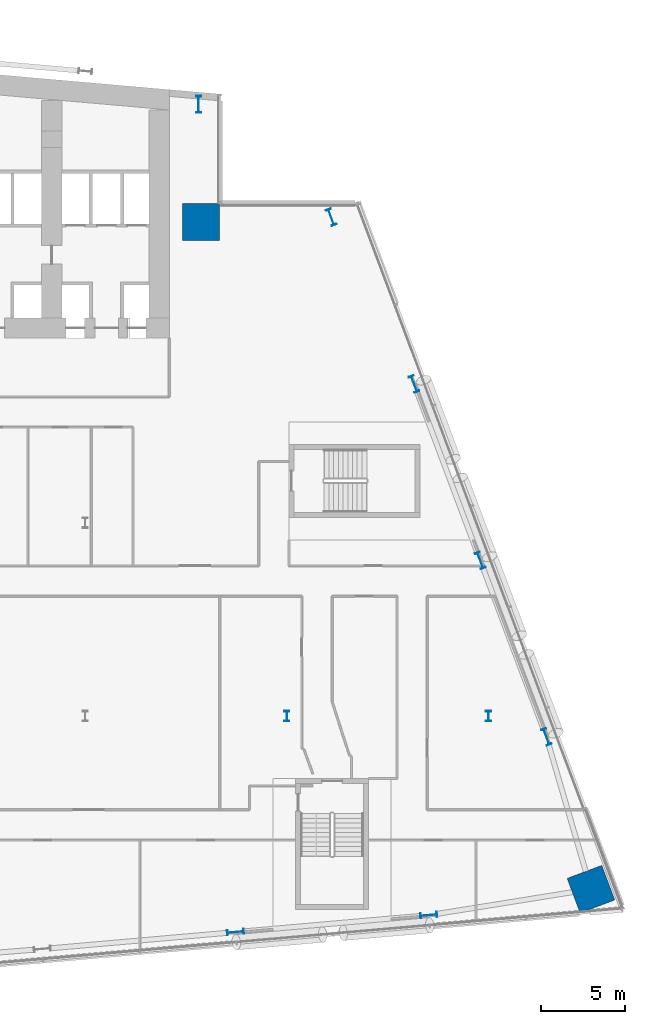
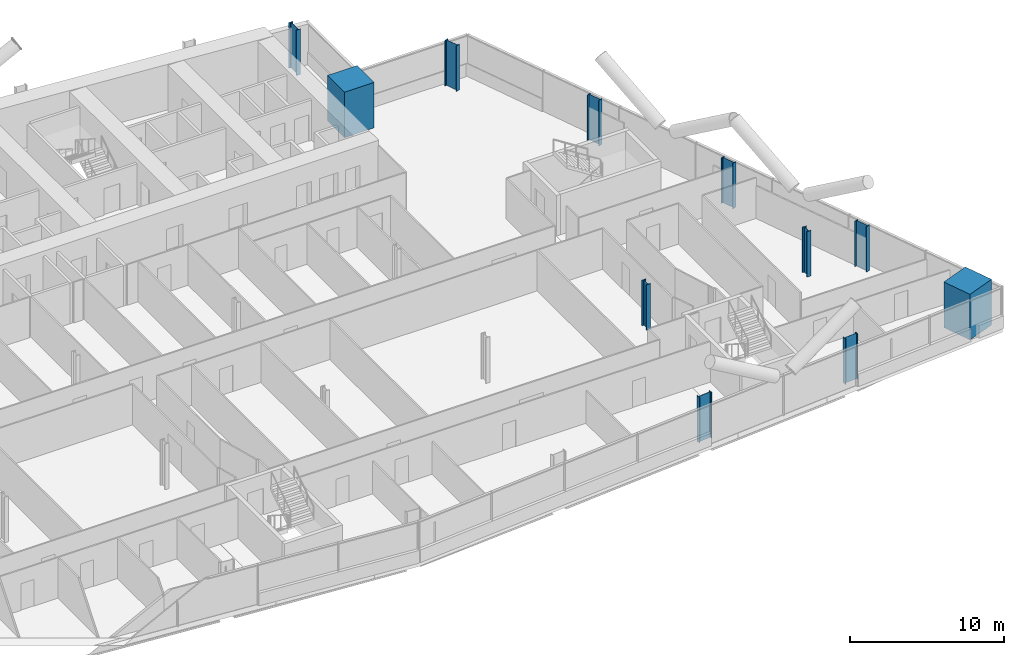
# One storey, part 3 of 27: 11 columns.
"""IFC4 building model written with IfcOpenShell, lengths in metres."""

from ifc_helpers import new_model, si_unit, direction, frame, origin, origin_2d, place, context, subcontext, project, spatial, rectangle, i_section, extrude, material, material_profile, profile_set, type_object, element, save


model = new_model("IFC4")

# Units and contexts
model_context = context("Model", 3, precision=1e-05, world=origin(), true_north=direction((0.0, 1.0)))
body_context = subcontext(model_context, "Body", "Model", "MODEL_VIEW")
ifc_project = project(units=[si_unit("LENGTHUNIT", "METRE"), si_unit("AREAUNIT", "SQUARE_METRE"), si_unit("VOLUMEUNIT", "CUBIC_METRE"), si_unit("PLANEANGLEUNIT", "RADIAN"), si_unit("MASSUNIT", "GRAM", prefix="KILO")], contexts=[model_context])

# Site, building, storey
site_placement = place(None, origin())
site = spatial("IfcSite", under=ifc_project, at=site_placement, CompositionType="ELEMENT")
building_placement = place(site_placement, origin())
building = spatial("IfcBuilding", under=site, at=building_placement, Name="Wharfspan Tower", CompositionType="ELEMENT")
storey_placement = place(building_placement, frame((0.0, 0.0, 55.899902)))
storey = spatial("IfcBuildingStorey", under=building, at=storey_placement, Name="L10", CompositionType="ELEMENT", Elevation=55.899902)

# Columns
ifc_material_1 = material(Name="Steel S355J2", Category="steel")
ifc_material_profile_1 = material_profile(ifc_material_1, i_section(OverallWidth=0.302002, OverallDepth=1.008057, WebThickness=0.020996, FlangeThickness=0.040039, FilletRadius=0.030029, at=origin_2d()))
ifc_profile_set_1 = profile_set([ifc_material_profile_1], Name="Steel S355J2")
column_type_1 = type_object("IfcColumnType", Name="Column HEM 1000", PredefinedType="COLUMN", material=ifc_profile_set_1)
for number, where, z_axis, x_axis, name in (
    (1, (68.942383, -1.354736, 0.0), (0.0, 0.0, 1.0), (0.087156, -0.996198, 0.0), "Perimeter column PS2.2 L10"),
    (2, (80.442383, -0.348633, 0.0), (0.0, 0.0, 1.0), (0.087156, -0.996198, 0.0), "Perimeter column PS2.3 L10"),
    (3, (87.44458, 10.268311, 0.0), (0.0, 0.0, 1.0), (0.936328, 0.351123, 0.0), "Perimeter column PE.1 L10"),
    (4, (83.50708, 20.768311, 0.0), (0.0, 0.0, 1.0), (0.936328, 0.351123, 0.0), "Perimeter column PE.2 L10"),
    (5, (79.56958, 31.268311, 0.0), (0.0, 0.0, 1.0), (0.936328, 0.351123, 0.0), "Perimeter column PE.3 L10"),
    (6, (74.634277, 41.196289, 0.0), (0.0, 0.0, 1.0), (0.936328, 0.351123, 0.0), "Perimeter column PE.4 L10"),
    (7, (66.747803, 47.915283, 0.0), (0.0, 0.0, 1.0), (1.0, 0.0, 0.0), "Perimeter column PNRE-V.1 L10"),
):
    element("IfcColumn", number, at=place(storey_placement, frame(where, z_axis=z_axis, x_axis=x_axis)), inside=storey, type_object=column_type_1, Name=name, PredefinedType="COLUMN", context=body_context, shape_type="SweptSolid", body=[
        extrude(i_section(OverallWidth=0.302002, OverallDepth=1.008057, WebThickness=0.020996, FlangeThickness=0.040039, FilletRadius=0.030029, at=origin_2d()), origin(), (0.0, 0.0, 1.0), 3.600098),
    ])
ifc_material_profile_2 = material_profile(ifc_material_1, i_section(OverallWidth=0.304932, OverallDepth=0.620117, WebThickness=0.020996, FlangeThickness=0.040039, FilletRadius=0.0271, at=origin_2d()))
ifc_profile_set_2 = profile_set([ifc_material_profile_2], Name="Steel S355J2")
column_type_2 = type_object("IfcColumnType", Name="Column HEM 600", PredefinedType="COLUMN", material=ifc_profile_set_2)
for number, where, z_axis, x_axis, name in (
    (8, (72.0, 11.5, 0.0), (0.0, 0.0, 1.0), (1.0, 0.0, 0.0), "Interior column I.1.6 L10"),
    (9, (84.0, 11.5, 0.0), (0.0, 0.0, 1.0), (1.0, 0.0, 0.0), "Interior column I.1.7 L10"),
):
    element("IfcColumn", number, at=place(storey_placement, frame(where, z_axis=z_axis, x_axis=x_axis)), inside=storey, type_object=column_type_2, Name=name, PredefinedType="COLUMN", context=body_context, shape_type="SweptSolid", body=[
        extrude(i_section(OverallWidth=0.304932, OverallDepth=0.620117, WebThickness=0.020996, FlangeThickness=0.040039, FilletRadius=0.0271, at=origin_2d()), origin(), (0.0, 0.0, 1.0), 3.600098),
    ])
ifc_material_2 = material(Name="Concrete C70/85", Category="concrete")
ifc_material_profile_3 = material_profile(ifc_material_2, rectangle(XDim=2.199951, YDim=2.199951, at=origin_2d()))
ifc_profile_set_3 = profile_set([ifc_material_profile_3], Name="Concrete C70/85")
column_type_3 = type_object("IfcColumnType", Name="Mega column 2200 C70/85", PredefinedType="COLUMN", material=ifc_profile_set_3)
for number, where, z_axis, x_axis, name in (
    (10, (66.899902, 40.899902, 0.0), (0.0, 0.0, 1.0), (1.0, 0.0, 0.0), "Mega column MC3 L10"),
    (11, (90.096436, 1.199707, 0.0), (0.0, 0.0, 1.0), (-0.351123, 0.936328, 0.0), "Mega column MC4 L10"),
):
    element("IfcColumn", number, at=place(storey_placement, frame(where, z_axis=z_axis, x_axis=x_axis)), inside=storey, type_object=column_type_3, Name=name, PredefinedType="COLUMN", context=body_context, shape_type="SweptSolid", body=[
        extrude(rectangle(XDim=2.199951, YDim=2.199951, at=origin_2d()), origin(), (0.0, 0.0, 1.0), 3.600098),
    ])

save(model, "model.ifc")
